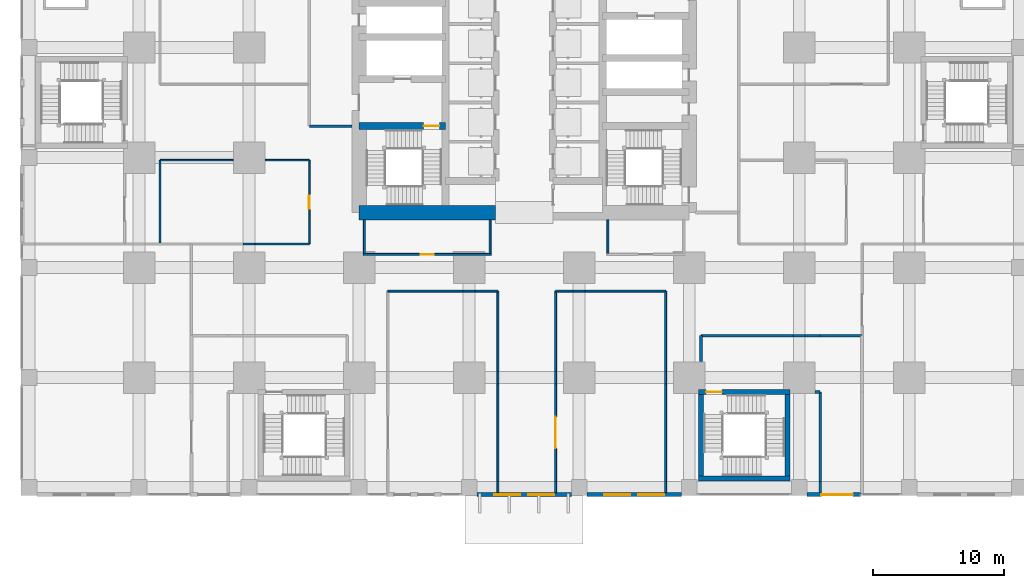
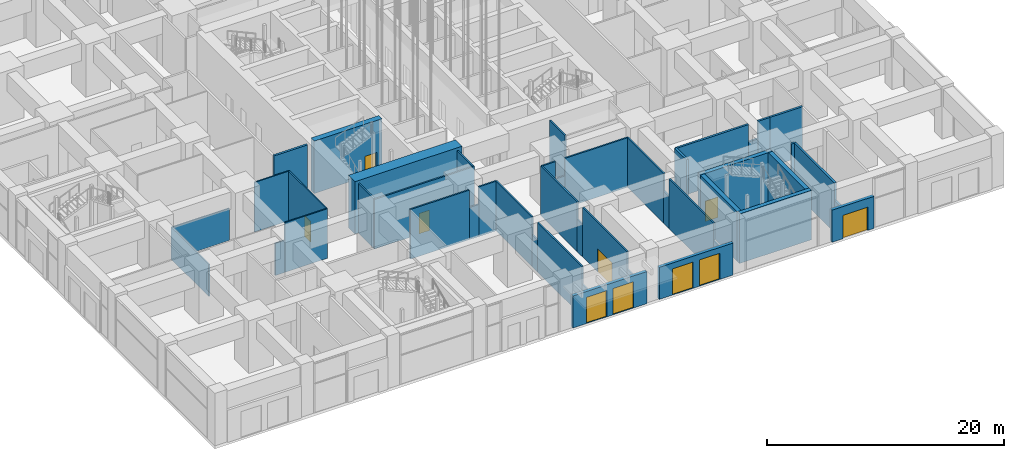
# One storey, part 38 of 81: 46 walls, 10 doors, 10 openings.
"""IFC4 building model written with IfcOpenShell, lengths in metres."""

from ifc_helpers import new_model, si_unit, direction, frame, frame_2d, origin, place, context, subcontext, project, spatial, rectangle, extrude, material, layer, layer_set, type_object, element, fill, save


model = new_model("IFC4")

# Units and contexts
model_context = context("Model", 3, precision=1e-05, world=origin(), true_north=direction((0.0, 1.0)))
body_context = subcontext(model_context, "Body", "Model", "MODEL_VIEW")
ifc_project = project(units=[si_unit("LENGTHUNIT", "METRE"), si_unit("AREAUNIT", "SQUARE_METRE"), si_unit("VOLUMEUNIT", "CUBIC_METRE"), si_unit("PLANEANGLEUNIT", "RADIAN"), si_unit("MASSUNIT", "GRAM", prefix="KILO")], contexts=[model_context])

# Site, building, storey
site_placement = place(None, origin())
site = spatial("IfcSite", under=ifc_project, at=site_placement, CompositionType="ELEMENT")
building_placement = place(site_placement, origin())
building = spatial("IfcBuilding", under=site, at=building_placement, Name="Rekha Terrace Tower", CompositionType="ELEMENT")
storey_placement = place(building_placement, origin())
storey = spatial("IfcBuildingStorey", under=building, at=storey_placement, Name="L00", CompositionType="ELEMENT", Elevation=0.0)

# Wall, opening, door
ifc_material_1 = material(Name="Concrete M70", Category="concrete")
ifc_layer_1 = layer(ifc_material_1, 0.550048828125)
ifc_layer_set_1 = layer_set([ifc_layer_1], Name="Concrete M70")
wall_type_1 = type_object("IfcWallType", Name="CI1 550 core internal shear wall", PredefinedType="SHEAR", material=ifc_layer_set_1)
wall_1_placement = place(storey_placement, frame((25.199951171875, 27.60009765625, 0.0), z_axis=(0.0, 0.0, 1.0), x_axis=(1.0, 0.0, 0.0)))
wall_1 = element("IfcWall", 1, at=wall_1_placement, inside=storey, type_object=wall_type_1, Name="Core wall Y276W L00", PredefinedType="SHEAR", context=body_context, shape_type="SweptSolid", body=[
    extrude(rectangle(XDim=6.60009765625, YDim=0.550048828125, at=frame_2d((3.300048828125, 0.0))), origin(), (0.0, 0.0, 1.0), 5.39990234375),
])
opening_1_placement = place(wall_1_placement, frame((4.925048828125, 0.0, 0.0)))
opening_1 = element("IfcOpeningElement", 2, at=opening_1_placement, cuts=wall_1, Name="Opening D1", PredefinedType="OPENING", context=body_context, shape_type="SweptSolid", body=[
    extrude(rectangle(XDim=1.199951171875, YDim=2.10009765625, at=frame_2d((0.60009765625, 1.050048828125))), frame((0.0, 0.284912109375, 0.0), z_axis=(0.0, -1.0, 0.0), x_axis=(1.0, 0.0, 0.0)), (0.0, 0.0, 1.0), 0.570068359375),
])
ifc_material_2 = material(Name="Steel fire door", Category="steel")
door_type_1 = type_object("IfcDoorType", Name="D1 1200x2100 stair fire door", OperationType="SINGLE_SWING_RIGHT", PredefinedType="DOOR", material=ifc_material_2)
door_1_placement = place(opening_1_placement, origin())
door_1 = element("IfcDoor", 3, at=door_1_placement, inside=storey, type_object=door_type_1, Name="Stair ST1 door L00", OperationType="SINGLE_SWING_RIGHT", OverallHeight=2.10009765625, OverallWidth=1.199951171875, PredefinedType="DOOR", context=body_context, shape_type="SweptSolid", body=[
    extrude(rectangle(XDim=1.199951171875, YDim=2.10009765625, at=frame_2d((0.60009765625, 1.050048828125))), frame((0.0, 0.02490234375, 0.0), z_axis=(0.0, -1.0, 0.0), x_axis=(1.0, 0.0, 0.0)), (0.0, 0.0, 1.0), 0.050048828125),
])
fill(opening_1, door_1)

# Wall, openings, doors
ifc_material_3 = material(Name="Concrete M40", Category="concrete")
ifc_layer_2 = layer(ifc_material_3, 0.300048828125)
ifc_layer_set_2 = layer_set([ifc_layer_2], Name="Concrete M40")
wall_type_2 = type_object("IfcWallType", Name="EW2 glazed entrance screen wall 300", PredefinedType="SOLIDWALL", material=ifc_layer_set_2)
wall_2_placement = place(storey_placement, frame((41.39892578125, -0.5400390625, 0.0), z_axis=(0.0, 0.0, 1.0), x_axis=(-1.0, 0.0, 0.0)))
wall_2 = element("IfcWall", 4, at=wall_2_placement, inside=storey, type_object=wall_type_2, Name="Entrance screen wall", PredefinedType="SOLIDWALL", context=body_context, shape_type="SweptSolid", body=[
    extrude(rectangle(XDim=7.197998046875, YDim=0.300048828125, at=frame_2d((3.59912109375, 0.0))), origin(), (0.0, 0.0, 1.0), 3.300048828125),
])
opening_2_placement = place(wall_2_placement, frame((3.89892578125, 0.0, 0.0)))
opening_2 = element("IfcOpeningElement", 5, at=opening_2_placement, cuts=wall_2, Name="Opening ED1", PredefinedType="OPENING", context=body_context, shape_type="SweptSolid", body=[
    extrude(rectangle(XDim=2.0, YDim=2.699951171875, at=frame_2d((1.0, 1.35009765625))), frame((0.0, 0.159912109375, 0.0), z_axis=(0.0, -1.0, 0.0), x_axis=(1.0, 0.0, 0.0)), (0.0, 0.0, 1.0), 0.320068359375),
])
opening_3_placement = place(wall_2_placement, frame((1.299072265625, 0.0, 0.0)))
opening_3 = element("IfcOpeningElement", 6, at=opening_3_placement, cuts=wall_2, Name="Opening ED1", PredefinedType="OPENING", context=body_context, shape_type="SweptSolid", body=[
    extrude(rectangle(XDim=2.0, YDim=2.699951171875, at=frame_2d((1.0, 1.35009765625))), frame((0.0, 0.159912109375, 0.0), z_axis=(0.0, -1.0, 0.0), x_axis=(1.0, 0.0, 0.0)), (0.0, 0.0, 1.0), 0.320068359375),
])
ifc_material_4 = material(Name="Aluminium framed laminated glass door", Category="aluminium")
door_type_2 = type_object("IfcDoorType", Name="ED1 glazed double entrance door 2000 x 2700", OperationType="DOUBLE_DOOR_SINGLE_SWING", PredefinedType="DOOR", material=ifc_material_4)
door_2_placement = place(opening_2_placement, origin())
door_2 = element("IfcDoor", 7, at=door_2_placement, inside=storey, type_object=door_type_2, Name="Entrance door", OperationType="DOUBLE_DOOR_SINGLE_SWING", OverallHeight=2.699951171875, OverallWidth=2.0, PredefinedType="DOOR", context=body_context, shape_type="SweptSolid", body=[
    extrude(rectangle(XDim=2.0, YDim=2.699951171875, at=frame_2d((1.0, 1.35009765625))), frame((0.0, 0.02490234375, 0.0), z_axis=(0.0, -1.0, 0.0), x_axis=(1.0, 0.0, 0.0)), (0.0, 0.0, 1.0), 0.050048828125),
])
fill(opening_2, door_2)
door_3_placement = place(opening_3_placement, origin())
door_3 = element("IfcDoor", 8, at=door_3_placement, inside=storey, type_object=door_type_2, Name="Entrance door", OperationType="DOUBLE_DOOR_SINGLE_SWING", OverallHeight=2.699951171875, OverallWidth=2.0, PredefinedType="DOOR", context=body_context, shape_type="SweptSolid", body=[
    extrude(rectangle(XDim=2.0, YDim=2.699951171875, at=frame_2d((1.0, 1.35009765625))), frame((0.0, 0.02490234375, 0.0), z_axis=(0.0, -1.0, 0.0), x_axis=(1.0, 0.0, 0.0)), (0.0, 0.0, 1.0), 0.050048828125),
])
fill(opening_3, door_3)

wall_3_placement = place(storey_placement, frame((49.799072265625, -0.5400390625, 0.0), z_axis=(0.0, 0.0, 1.0), x_axis=(-1.0, 0.0, 0.0)))
wall_3 = element("IfcWall", 9, at=wall_3_placement, inside=storey, type_object=wall_type_2, Name="Entrance screen wall", PredefinedType="SOLIDWALL", context=body_context, shape_type="SweptSolid", body=[
    extrude(rectangle(XDim=7.197998046875, YDim=0.300048828125, at=frame_2d((3.59912109375, 0.0))), origin(), (0.0, 0.0, 1.0), 3.300048828125),
])
opening_4_placement = place(wall_3_placement, frame((3.89892578125, 0.0, 0.0)))
opening_4 = element("IfcOpeningElement", 10, at=opening_4_placement, cuts=wall_3, Name="Opening ED1", PredefinedType="OPENING", context=body_context, shape_type="SweptSolid", body=[
    extrude(rectangle(XDim=2.0, YDim=2.699951171875, at=frame_2d((1.0, 1.35009765625))), frame((0.0, 0.159912109375, 0.0), z_axis=(0.0, -1.0, 0.0), x_axis=(1.0, 0.0, 0.0)), (0.0, 0.0, 1.0), 0.320068359375),
])
opening_5_placement = place(wall_3_placement, frame((1.299072265625, 0.0, 0.0)))
opening_5 = element("IfcOpeningElement", 11, at=opening_5_placement, cuts=wall_3, Name="Opening ED1", PredefinedType="OPENING", context=body_context, shape_type="SweptSolid", body=[
    extrude(rectangle(XDim=2.0, YDim=2.699951171875, at=frame_2d((1.0, 1.35009765625))), frame((0.0, 0.159912109375, 0.0), z_axis=(0.0, -1.0, 0.0), x_axis=(1.0, 0.0, 0.0)), (0.0, 0.0, 1.0), 0.320068359375),
])
door_4_placement = place(opening_4_placement, origin())
door_4 = element("IfcDoor", 12, at=door_4_placement, inside=storey, type_object=door_type_2, Name="Entrance door", OperationType="DOUBLE_DOOR_SINGLE_SWING", OverallHeight=2.699951171875, OverallWidth=2.0, PredefinedType="DOOR", context=body_context, shape_type="SweptSolid", body=[
    extrude(rectangle(XDim=2.0, YDim=2.699951171875, at=frame_2d((1.0, 1.35009765625))), frame((0.0, 0.02490234375, 0.0), z_axis=(0.0, -1.0, 0.0), x_axis=(1.0, 0.0, 0.0)), (0.0, 0.0, 1.0), 0.050048828125),
])
fill(opening_4, door_4)
door_5_placement = place(opening_5_placement, origin())
door_5 = element("IfcDoor", 13, at=door_5_placement, inside=storey, type_object=door_type_2, Name="Entrance door", OperationType="DOUBLE_DOOR_SINGLE_SWING", OverallHeight=2.699951171875, OverallWidth=2.0, PredefinedType="DOOR", context=body_context, shape_type="SweptSolid", body=[
    extrude(rectangle(XDim=2.0, YDim=2.699951171875, at=frame_2d((1.0, 1.35009765625))), frame((0.0, 0.02490234375, 0.0), z_axis=(0.0, -1.0, 0.0), x_axis=(1.0, 0.0, 0.0)), (0.0, 0.0, 1.0), 0.050048828125),
])
fill(opening_5, door_5)

# Wall, opening, door
wall_4_placement = place(storey_placement, frame((63.5, -0.5400390625, 0.0), z_axis=(0.0, 0.0, 1.0), x_axis=(-1.0, 0.0, 0.0)))
wall_4 = element("IfcWall", 14, at=wall_4_placement, inside=storey, type_object=wall_type_2, Name="Entrance screen wall", PredefinedType="SOLIDWALL", context=body_context, shape_type="SweptSolid", body=[
    extrude(rectangle(XDim=4.09912109375, YDim=0.300048828125, at=frame_2d((2.049560546875, 0.0))), origin(), (0.0, 0.0, 1.0), 3.300048828125),
])
opening_6_placement = place(wall_4_placement, frame((0.60009765625, 0.0, 0.0)))
opening_6 = element("IfcOpeningElement", 15, at=opening_6_placement, cuts=wall_4, Name="Opening ED2", PredefinedType="OPENING", context=body_context, shape_type="SweptSolid", body=[
    extrude(rectangle(XDim=2.39990234375, YDim=2.39990234375, at=frame_2d((1.199951171875, 1.199951171875))), frame((0.0, 0.159912109375, 0.0), z_axis=(0.0, -1.0, 0.0), x_axis=(1.0, 0.0, 0.0)), (0.0, 0.0, 1.0), 0.320068359375),
])
ifc_material_5 = material(Name="Galvanised steel door", Category="steel")
door_type_3 = type_object("IfcDoorType", Name="ED2 steel double exit door 2400 x 2400", OperationType="DOUBLE_DOOR_SINGLE_SWING", PredefinedType="DOOR", material=ifc_material_5)
door_6_placement = place(opening_6_placement, origin())
door_6 = element("IfcDoor", 16, at=door_6_placement, inside=storey, type_object=door_type_3, Name="Exit discharge door", OperationType="DOUBLE_DOOR_SINGLE_SWING", OverallHeight=2.39990234375, OverallWidth=2.39990234375, PredefinedType="DOOR", context=body_context, shape_type="SweptSolid", body=[
    extrude(rectangle(XDim=2.39990234375, YDim=2.39990234375, at=frame_2d((1.199951171875, 1.199951171875))), frame((0.0, 0.02490234375, 0.0), z_axis=(0.0, -1.0, 0.0), x_axis=(1.0, 0.0, 0.0)), (0.0, 0.0, 1.0), 0.050048828125),
])
fill(opening_6, door_6)

# Wall
ifc_layer_3 = layer(ifc_material_1, 1.10009765625)
ifc_layer_set_3 = layer_set([ifc_layer_3], Name="Concrete M70")
wall_type_3 = type_object("IfcWallType", Name="SW1 1100 core outer shear wall", PredefinedType="SHEAR", material=ifc_layer_set_3)
wall_5_placement = place(storey_placement, frame((25.199951171875, 21.0, 0.0), z_axis=(0.0, 0.0, 1.0), x_axis=(1.0, 0.0, 0.0)))
element("IfcWall", 17, at=wall_5_placement, inside=storey, type_object=wall_type_3, Name="Core wall S1 L00", PredefinedType="SHEAR", context=body_context, shape_type="SweptSolid", body=[
    extrude(rectangle(XDim=10.400146484375, YDim=1.10009765625, at=frame_2d((5.2001953125, 0.0))), origin(), (0.0, 0.0, 1.0), 5.39990234375),
])

# Wall, opening, door
ifc_material_6 = material(Name="Concrete block masonry, 1 hour", Category="masonry")
ifc_layer_4 = layer(ifc_material_6, 0.14990234375)
ifc_layer_set_4 = layer_set([ifc_layer_4], Name="Concrete block masonry, 1 hour")
wall_type_4 = type_object("IfcWallType", Name="WP2 150 tenancy partition", PredefinedType="PARTITIONING", material=ifc_layer_set_4)
wall_6_placement = place(storey_placement, frame((25.52490234375, 17.800048828125, 0.0), z_axis=(0.0, 0.0, 1.0), x_axis=(1.0, 0.0, 0.0)))
wall_6 = element("IfcWall", 18, at=wall_6_placement, inside=storey, type_object=wall_type_4, Name="Men's WC wall L00", PredefinedType="PARTITIONING", context=body_context, shape_type="SweptSolid", body=[
    extrude(rectangle(XDim=9.75, YDim=0.14990234375, at=frame_2d((4.875, 0.0))), origin(), (0.0, 0.0, 1.0), 5.10009765625),
])
opening_7_placement = place(wall_6_placement, frame((4.375, 0.0, 0.0)))
opening_7 = element("IfcOpeningElement", 19, at=opening_7_placement, cuts=wall_6, Name="Opening D3", PredefinedType="OPENING", context=body_context, shape_type="SweptSolid", body=[
    extrude(rectangle(XDim=1.0, YDim=2.10009765625, at=frame_2d((0.5, 1.050048828125))), frame((0.0, 0.0849609375, 0.0), z_axis=(0.0, -1.0, 0.0), x_axis=(1.0, 0.0, 0.0)), (0.0, 0.0, 1.0), 0.169921875),
])
ifc_material_7 = material(Name="Laminated timber fire door", Category="wood")
door_type_4 = type_object("IfcDoorType", Name="D3 1000x2100 WC door", OperationType="SINGLE_SWING_LEFT", PredefinedType="DOOR", material=ifc_material_7)
door_7_placement = place(opening_7_placement, origin())
door_7 = element("IfcDoor", 20, at=door_7_placement, inside=storey, type_object=door_type_4, Name="Door men's wc L00", OperationType="SINGLE_SWING_LEFT", OverallHeight=2.10009765625, OverallWidth=1.0, PredefinedType="DOOR", context=body_context, shape_type="SweptSolid", body=[
    extrude(rectangle(XDim=1.0, YDim=2.10009765625, at=frame_2d((0.5, 1.050048828125))), frame((0.0, 0.02490234375, 0.0), z_axis=(0.0, -1.0, 0.0), x_axis=(1.0, 0.0, 0.0)), (0.0, 0.0, 1.0), 0.050048828125),
])
fill(opening_7, door_7)

# Walls
for number, where, z_axis, x_axis, name in (
    (21, (25.60009765625, 17.875, 0.0), (0.0, 0.0, 1.0), (0.0, 1.0, 0.0), "Men's WC wall L00"),
    (22, (35.199951171875, 17.875, 0.0), (0.0, 0.0, 1.0), (0.0, 1.0, 0.0), "Men's WC wall L00"),
    (23, (44.199951171875, 17.875, 0.0), (0.0, 0.0, 1.0), (0.0, 1.0, 0.0), "Men's WC wall L00"),
):
    element("IfcWall", number, at=place(storey_placement, frame(where, z_axis=z_axis, x_axis=x_axis)), inside=storey, type_object=wall_type_4, Name=name, PredefinedType="PARTITIONING", context=body_context, shape_type="SweptSolid", body=[
        extrude(rectangle(XDim=2.574951171875, YDim=0.14990234375, at=frame_2d((1.28759765625, 0.0))), origin(), (0.0, 0.0, 1.0), 5.10009765625),
    ])
wall_7_placement = place(storey_placement, frame((27.39990234375, 15.0, 0.0), z_axis=(0.0, 0.0, 1.0), x_axis=(1.0, 0.0, 0.0)))
element("IfcWall", 24, at=wall_7_placement, inside=storey, type_object=wall_type_4, Name="Partition L00-12", PredefinedType="PARTITIONING", context=body_context, shape_type="SweptSolid", body=[
    extrude(rectangle(XDim=5.739990234375, YDim=0.14990234375, at=frame_2d((2.8701171875, 0.0))), origin(), (0.0, 0.0, 1.0), 5.10009765625),
])
wall_8_placement = place(storey_placement, frame((33.139892578125, 15.0, 0.0), z_axis=(0.0, 0.0, 1.0), x_axis=(1.0, 0.0, 0.0)))
element("IfcWall", 25, at=wall_8_placement, inside=storey, type_object=wall_type_4, Name="Partition L00-12", PredefinedType="PARTITIONING", context=body_context, shape_type="SweptSolid", body=[
    extrude(rectangle(XDim=0.920166015625, YDim=0.14990234375, at=frame_2d((0.4599609375, 0.0))), origin(), (0.0, 0.0, 1.0), 3.300048828125),
])
wall_9_placement = place(storey_placement, frame((34.06005859375, 15.0, 0.0), z_axis=(0.0, 0.0, 1.0), x_axis=(1.0, 0.0, 0.0)))
element("IfcWall", 26, at=wall_9_placement, inside=storey, type_object=wall_type_4, Name="Partition L00-12", PredefinedType="PARTITIONING", context=body_context, shape_type="SweptSolid", body=[
    extrude(rectangle(XDim=1.739990234375, YDim=0.14990234375, at=frame_2d((0.8701171875, 0.0))), origin(), (0.0, 0.0, 1.0), 5.10009765625),
])
wall_10_placement = place(storey_placement, frame((35.800048828125, 15.0, 0.0), z_axis=(0.0, 0.0, 1.0), x_axis=(0.0, -1.0, 0.0)))
element("IfcWall", 27, at=wall_10_placement, inside=storey, type_object=wall_type_4, Name="Partition L00-12", PredefinedType="PARTITIONING", context=body_context, shape_type="SweptSolid", body=[
    extrude(rectangle(XDim=6.139892578125, YDim=0.14990234375, at=frame_2d((3.06982421875, 0.0))), origin(), (0.0, 0.0, 1.0), 5.10009765625),
])
wall_11_placement = place(storey_placement, frame((35.800048828125, 8.860107421875, 0.0), z_axis=(0.0, 0.0, 1.0), x_axis=(0.0, -1.0, 0.0)))
element("IfcWall", 28, at=wall_11_placement, inside=storey, type_object=wall_type_4, Name="Partition L00-12", PredefinedType="PARTITIONING", context=body_context, shape_type="SweptSolid", body=[
    extrude(rectangle(XDim=0.920166015625, YDim=0.14990234375, at=frame_2d((0.4599609375, 0.0))), origin(), (0.0, 0.0, 1.0), 3.300048828125),
])
wall_12_placement = place(storey_placement, frame((35.800048828125, 7.93994140625, 0.0), z_axis=(0.0, 0.0, 1.0), x_axis=(0.0, -1.0, 0.0)))
element("IfcWall", 29, at=wall_12_placement, inside=storey, type_object=wall_type_4, Name="Partition L00-12", PredefinedType="PARTITIONING", context=body_context, shape_type="SweptSolid", body=[
    extrude(rectangle(XDim=7.47998046875, YDim=0.14990234375, at=frame_2d((3.739990234375, 0.0))), origin(), (0.0, 0.0, 1.0), 5.10009765625),
])
wall_13_placement = place(storey_placement, frame((35.800048828125, 0.4599609375, 0.0), z_axis=(0.0, 0.0, 1.0), x_axis=(0.0, -1.0, 0.0)))
element("IfcWall", 30, at=wall_13_placement, inside=storey, type_object=wall_type_4, Name="Partition L00-12", PredefinedType="PARTITIONING", context=body_context, shape_type="SweptSolid", body=[
    extrude(rectangle(XDim=0.849853515625, YDim=0.14990234375, at=frame_2d((0.4248046875, 0.0))), origin(), (0.0, 0.0, 1.0), 3.300048828125),
])
wall_14_placement = place(storey_placement, frame((40.199951171875, 15.0, 0.0), z_axis=(0.0, 0.0, 1.0), x_axis=(1.0, 0.0, 0.0)))
element("IfcWall", 31, at=wall_14_placement, inside=storey, type_object=wall_type_4, Name="Partition L00-13", PredefinedType="PARTITIONING", context=body_context, shape_type="SweptSolid", body=[
    extrude(rectangle(XDim=1.340087890625, YDim=0.14990234375, at=frame_2d((0.669921875, 0.0))), origin(), (0.0, 0.0, 1.0), 5.10009765625),
])
wall_15_placement = place(storey_placement, frame((41.5400390625, 15.0, 0.0), z_axis=(0.0, 0.0, 1.0), x_axis=(1.0, 0.0, 0.0)))
element("IfcWall", 32, at=wall_15_placement, inside=storey, type_object=wall_type_4, Name="Partition L00-13", PredefinedType="PARTITIONING", context=body_context, shape_type="SweptSolid", body=[
    extrude(rectangle(XDim=0.919921875, YDim=0.14990234375, at=frame_2d((0.4599609375, 0.0))), origin(), (0.0, 0.0, 1.0), 3.300048828125),
])
wall_16_placement = place(storey_placement, frame((42.4599609375, 15.0, 0.0), z_axis=(0.0, 0.0, 1.0), x_axis=(1.0, 0.0, 0.0)))
element("IfcWall", 33, at=wall_16_placement, inside=storey, type_object=wall_type_4, Name="Partition L00-13", PredefinedType="PARTITIONING", context=body_context, shape_type="SweptSolid", body=[
    extrude(rectangle(XDim=6.14013671875, YDim=0.14990234375, at=frame_2d((3.070068359375, 0.0))), origin(), (0.0, 0.0, 1.0), 5.10009765625),
])
wall_17_placement = place(storey_placement, frame((48.60009765625, 15.0, 0.0), z_axis=(0.0, 0.0, 1.0), x_axis=(0.0, -1.0, 0.0)))
element("IfcWall", 34, at=wall_17_placement, inside=storey, type_object=wall_type_4, Name="Partition L00-13", PredefinedType="PARTITIONING", context=body_context, shape_type="SweptSolid", body=[
    extrude(rectangle(XDim=6.139892578125, YDim=0.14990234375, at=frame_2d((3.06982421875, 0.0))), origin(), (0.0, 0.0, 1.0), 5.10009765625),
])
wall_18_placement = place(storey_placement, frame((48.60009765625, 8.860107421875, 0.0), z_axis=(0.0, 0.0, 1.0), x_axis=(0.0, -1.0, 0.0)))
element("IfcWall", 35, at=wall_18_placement, inside=storey, type_object=wall_type_4, Name="Partition L00-13", PredefinedType="PARTITIONING", context=body_context, shape_type="SweptSolid", body=[
    extrude(rectangle(XDim=0.920166015625, YDim=0.14990234375, at=frame_2d((0.4599609375, 0.0))), origin(), (0.0, 0.0, 1.0), 3.300048828125),
])
wall_19_placement = place(storey_placement, frame((48.60009765625, 7.93994140625, 0.0), z_axis=(0.0, 0.0, 1.0), x_axis=(0.0, -1.0, 0.0)))
element("IfcWall", 36, at=wall_19_placement, inside=storey, type_object=wall_type_4, Name="Partition L00-13", PredefinedType="PARTITIONING", context=body_context, shape_type="SweptSolid", body=[
    extrude(rectangle(XDim=7.47998046875, YDim=0.14990234375, at=frame_2d((3.739990234375, 0.0))), origin(), (0.0, 0.0, 1.0), 5.10009765625),
])
for number, where, z_axis, x_axis, name in (
    (37, (48.60009765625, 0.4599609375, 0.0), (0.0, 0.0, 1.0), (0.0, -1.0, 0.0), "Partition L00-13"),
    (38, (40.199951171875, -0.389892578125, 0.0), (0.0, 0.0, 1.0), (0.0, 1.0, 0.0), "Partition L00-13"),
):
    element("IfcWall", number, at=place(storey_placement, frame(where, z_axis=z_axis, x_axis=x_axis)), inside=storey, type_object=wall_type_4, Name=name, PredefinedType="PARTITIONING", context=body_context, shape_type="SweptSolid", body=[
        extrude(rectangle(XDim=0.849853515625, YDim=0.14990234375, at=frame_2d((0.4248046875, 0.0))), origin(), (0.0, 0.0, 1.0), 3.300048828125),
    ])

# Wall, opening, door
wall_20_placement = place(storey_placement, frame((40.199951171875, 0.4599609375, 0.0), z_axis=(0.0, 0.0, 1.0), x_axis=(0.0, 1.0, 0.0)))
wall_20 = element("IfcWall", 39, at=wall_20_placement, inside=storey, type_object=wall_type_4, Name="Partition L00-13", PredefinedType="PARTITIONING", context=body_context, shape_type="SweptSolid", body=[
    extrude(rectangle(XDim=7.47998046875, YDim=0.14990234375, at=frame_2d((3.739990234375, 0.0))), origin(), (0.0, 0.0, 1.0), 5.10009765625),
])
opening_8_placement = place(wall_20_placement, frame((2.5400390625, 0.0, 0.0)))
opening_8 = element("IfcOpeningElement", 40, at=opening_8_placement, cuts=wall_20, Name="Opening D7", PredefinedType="OPENING", context=body_context, shape_type="SweptSolid", body=[
    extrude(rectangle(XDim=2.39990234375, YDim=2.39990234375, at=frame_2d((1.199951171875, 1.199951171875))), frame((0.0, 0.0849609375, 0.0), z_axis=(0.0, -1.0, 0.0), x_axis=(1.0, 0.0, 0.0)), (0.0, 0.0, 1.0), 0.169921875),
])
ifc_material_8 = material(Name="Glazed aluminium door", Category="aluminium")
door_type_5 = type_object("IfcDoorType", Name="D7 2400x2400 shopfront double door", OperationType="DOUBLE_DOOR_SINGLE_SWING", PredefinedType="DOOR", material=ifc_material_8)
door_8_placement = place(opening_8_placement, origin())
door_8 = element("IfcDoor", 41, at=door_8_placement, inside=storey, type_object=door_type_5, Name="Door retail unit 19 L00", OperationType="DOUBLE_DOOR_SINGLE_SWING", OverallHeight=2.39990234375, OverallWidth=2.39990234375, PredefinedType="DOOR", context=body_context, shape_type="SweptSolid", body=[
    extrude(rectangle(XDim=2.39990234375, YDim=2.39990234375, at=frame_2d((1.199951171875, 1.199951171875))), frame((0.0, 0.02490234375, 0.0), z_axis=(0.0, -1.0, 0.0), x_axis=(1.0, 0.0, 0.0)), (0.0, 0.0, 1.0), 0.050048828125),
])
fill(opening_8, door_8)

# Walls
wall_21_placement = place(storey_placement, frame((40.199951171875, 7.93994140625, 0.0), z_axis=(0.0, 0.0, 1.0), x_axis=(0.0, 1.0, 0.0)))
element("IfcWall", 42, at=wall_21_placement, inside=storey, type_object=wall_type_4, Name="Partition L00-13", PredefinedType="PARTITIONING", context=body_context, shape_type="SweptSolid", body=[
    extrude(rectangle(XDim=0.920166015625, YDim=0.14990234375, at=frame_2d((0.4599609375, 0.0))), origin(), (0.0, 0.0, 1.0), 3.300048828125),
])
wall_22_placement = place(storey_placement, frame((40.199951171875, 8.860107421875, 0.0), z_axis=(0.0, 0.0, 1.0), x_axis=(0.0, 1.0, 0.0)))
element("IfcWall", 43, at=wall_22_placement, inside=storey, type_object=wall_type_4, Name="Partition L00-13", PredefinedType="PARTITIONING", context=body_context, shape_type="SweptSolid", body=[
    extrude(rectangle(XDim=6.139892578125, YDim=0.14990234375, at=frame_2d((3.06982421875, 0.0))), origin(), (0.0, 0.0, 1.0), 5.10009765625),
])
ifc_material_9 = material(Name="Two layers of fire-rated gypsum board each side on steel studs, acoustic quilt, 1 hour", Category="steel")
ifc_layer_5 = layer(ifc_material_9, 0.125)
ifc_layer_set_5 = layer_set([ifc_layer_5], Name="Two layers of fire-rated gypsum board each side on steel studs, acoustic quilt, 1 hour")
wall_type_5 = type_object("IfcWallType", Name="WP3 125 office partition", PredefinedType="PARTITIONING", material=ifc_layer_set_5)
wall_23_placement = place(storey_placement, frame((10.0, 25.0, 0.0), z_axis=(0.0, 0.0, 1.0), x_axis=(1.0, 0.0, 0.0)))
element("IfcWall", 44, at=wall_23_placement, inside=storey, type_object=wall_type_5, Name="Partition L00-08", PredefinedType="PARTITIONING", context=body_context, shape_type="SweptSolid", body=[
    extrude(rectangle(XDim=5.580078125, YDim=0.125, at=frame_2d((2.7900390625, 0.0))), origin(), (0.0, 0.0, 1.0), 3.300048828125),
])
wall_24_placement = place(storey_placement, frame((18.02001953125, 25.0, 0.0), z_axis=(0.0, 0.0, 1.0), x_axis=(1.0, 0.0, 0.0)))
element("IfcWall", 45, at=wall_24_placement, inside=storey, type_object=wall_type_5, Name="Partition L00-08", PredefinedType="PARTITIONING", context=body_context, shape_type="SweptSolid", body=[
    extrude(rectangle(XDim=3.3798828125, YDim=0.125, at=frame_2d((1.68994140625, 0.0))), origin(), (0.0, 0.0, 1.0), 5.10009765625),
])

# Wall, opening, door
wall_25_placement = place(storey_placement, frame((21.39990234375, 25.0, 0.0), z_axis=(0.0, 0.0, 1.0), x_axis=(0.0, -1.0, 0.0)))
wall_25 = element("IfcWall", 46, at=wall_25_placement, inside=storey, type_object=wall_type_5, Name="Partition L00-08", PredefinedType="PARTITIONING", context=body_context, shape_type="SweptSolid", body=[
    extrude(rectangle(XDim=6.39990234375, YDim=0.125, at=frame_2d((3.199951171875, 0.0))), origin(), (0.0, 0.0, 1.0), 5.10009765625),
])
opening_9_placement = place(wall_25_placement, frame((2.699951171875, 0.0, 0.0)))
opening_9 = element("IfcOpeningElement", 47, at=opening_9_placement, cuts=wall_25, Name="Opening D9", PredefinedType="OPENING", context=body_context, shape_type="SweptSolid", body=[
    extrude(rectangle(XDim=1.0, YDim=2.10009765625, at=frame_2d((0.5, 1.050048828125))), frame((0.0, 0.072509765625, 0.0), z_axis=(0.0, -1.0, 0.0), x_axis=(1.0, 0.0, 0.0)), (0.0, 0.0, 1.0), 0.14501953125),
])
ifc_material_10 = material(Name="Timber fire door", Category="wood")
door_type_6 = type_object("IfcDoorType", Name="D9 1000x2100 office door", OperationType="SINGLE_SWING_LEFT", PredefinedType="DOOR", material=ifc_material_10)
door_9_placement = place(opening_9_placement, origin())
door_9 = element("IfcDoor", 48, at=door_9_placement, inside=storey, type_object=door_type_6, Name="Door metro ticket office L00", OperationType="SINGLE_SWING_LEFT", OverallHeight=2.10009765625, OverallWidth=1.0, PredefinedType="DOOR", context=body_context, shape_type="SweptSolid", body=[
    extrude(rectangle(XDim=1.0, YDim=2.10009765625, at=frame_2d((0.5, 1.050048828125))), frame((0.0, 0.02490234375, 0.0), z_axis=(0.0, -1.0, 0.0), x_axis=(1.0, 0.0, 0.0)), (0.0, 0.0, 1.0), 0.050048828125),
])
fill(opening_9, door_9)

# Walls
wall_26_placement = place(storey_placement, frame((21.39990234375, 18.60009765625, 0.0), z_axis=(0.0, 0.0, 1.0), x_axis=(-1.0, 0.0, 0.0)))
element("IfcWall", 49, at=wall_26_placement, inside=storey, type_object=wall_type_5, Name="Partition L00-08", PredefinedType="PARTITIONING", context=body_context, shape_type="SweptSolid", body=[
    extrude(rectangle(XDim=4.139892578125, YDim=0.125, at=frame_2d((2.06982421875, 0.0))), origin(), (0.0, 0.0, 1.0), 5.10009765625),
])
wall_27_placement = place(storey_placement, frame((17.260009765625, 18.60009765625, 0.0), z_axis=(0.0, 0.0, 1.0), x_axis=(-1.0, 0.0, 0.0)))
element("IfcWall", 50, at=wall_27_placement, inside=storey, type_object=wall_type_5, Name="Partition L00-08", PredefinedType="PARTITIONING", context=body_context, shape_type="SweptSolid", body=[
    extrude(rectangle(XDim=0.919921875, YDim=0.125, at=frame_2d((0.4599609375, 0.0))), origin(), (0.0, 0.0, 1.0), 3.300048828125),
])
wall_28_placement = place(storey_placement, frame((10.0, 18.675048828125, 0.0), z_axis=(0.0, 0.0, 1.0), x_axis=(0.0, 1.0, 0.0)))
element("IfcWall", 51, at=wall_28_placement, inside=storey, type_object=wall_type_5, Name="Partition L00-08", PredefinedType="PARTITIONING", context=body_context, shape_type="SweptSolid", body=[
    extrude(rectangle(XDim=6.324951171875, YDim=0.125, at=frame_2d((3.16259765625, 0.0))), origin(), (0.0, 0.0, 1.0), 3.300048828125),
])
ifc_material_11 = material(Name="Solid concrete block masonry, 2 hour", Category="masonry")
ifc_layer_6 = layer(ifc_material_11, 0.199951171875)
ifc_layer_set_6 = layer_set([ifc_layer_6], Name="Solid concrete block masonry, 2 hour")
wall_type_6 = type_object("IfcWallType", Name="WS1 200 stair and shaft enclosure", PredefinedType="PARTITIONING", material=ifc_layer_set_6)
wall_29_placement = place(storey_placement, frame((24.64990234375, 27.60009765625, 0.0), z_axis=(0.0, 0.0, 1.0), x_axis=(-1.0, 0.0, 0.0)))
element("IfcWall", 52, at=wall_29_placement, inside=storey, type_object=wall_type_6, Name="Partition L00-EP1", PredefinedType="PARTITIONING", context=body_context, shape_type="SweptSolid", body=[
    extrude(rectangle(XDim=3.25, YDim=0.199951171875, at=frame_2d((1.625, 0.0))), origin(), (0.0, 0.0, 1.0), 5.10009765625),
])
wall_30_placement = place(storey_placement, frame((60.39990234375, 7.300048828125, 0.0), z_axis=(0.0, 0.0, 1.0), x_axis=(-1.0, 0.0, 0.0)))
element("IfcWall", 53, at=wall_30_placement, inside=storey, type_object=wall_type_6, Name="Partition L00-EP4", PredefinedType="PARTITIONING", context=body_context, shape_type="SweptSolid", body=[
    extrude(rectangle(XDim=0.3798828125, YDim=0.199951171875, at=frame_2d((0.18994140625, 0.0))), origin(), (0.0, 0.0, 1.0), 5.10009765625),
])
wall_31_placement = place(storey_placement, frame((51.300048828125, 9.6201171875, 0.0), z_axis=(0.0, 0.0, 1.0), x_axis=(0.0, 1.0, 0.0)))
element("IfcWall", 54, at=wall_31_placement, inside=storey, type_object=wall_type_6, Name="Partition L00-EP4", PredefinedType="PARTITIONING", context=body_context, shape_type="SweptSolid", body=[
    extrude(rectangle(XDim=1.97998046875, YDim=0.199951171875, at=frame_2d((0.989990234375, 0.0))), origin(), (0.0, 0.0, 1.0), 5.10009765625),
])
wall_32_placement = place(storey_placement, frame((51.300048828125, 11.60009765625, 0.0), z_axis=(0.0, 0.0, 1.0), x_axis=(1.0, 0.0, 0.0)))
element("IfcWall", 55, at=wall_32_placement, inside=storey, type_object=wall_type_6, Name="Partition L00-EP4", PredefinedType="PARTITIONING", context=body_context, shape_type="SweptSolid", body=[
    extrude(rectangle(XDim=7.0400390625, YDim=0.199951171875, at=frame_2d((3.52001953125, 0.0))), origin(), (0.0, 0.0, 1.0), 5.10009765625),
])
wall_33_placement = place(storey_placement, frame((58.340087890625, 11.60009765625, 0.0), z_axis=(0.0, 0.0, 1.0), x_axis=(1.0, 0.0, 0.0)))
element("IfcWall", 56, at=wall_33_placement, inside=storey, type_object=wall_type_6, Name="Partition L00-EP4", PredefinedType="PARTITIONING", context=body_context, shape_type="SweptSolid", body=[
    extrude(rectangle(XDim=0.919921875, YDim=0.199951171875, at=frame_2d((0.4599609375, 0.0))), origin(), (0.0, 0.0, 1.0), 3.300048828125),
])
wall_34_placement = place(storey_placement, frame((59.260009765625, 11.60009765625, 0.0), z_axis=(0.0, 0.0, 1.0), x_axis=(1.0, 0.0, 0.0)))
element("IfcWall", 57, at=wall_34_placement, inside=storey, type_object=wall_type_6, Name="Partition L00-EP4", PredefinedType="PARTITIONING", context=body_context, shape_type="SweptSolid", body=[
    extrude(rectangle(XDim=1.139892578125, YDim=0.199951171875, at=frame_2d((0.56982421875, 0.0))), origin(), (0.0, 0.0, 1.0), 5.10009765625),
])
wall_35_placement = place(storey_placement, frame((60.39990234375, 11.60009765625, 0.0), z_axis=(0.0, 0.0, 1.0), x_axis=(1.0, 0.0, 0.0)))
element("IfcWall", 58, at=wall_35_placement, inside=storey, type_object=wall_type_6, Name="Partition L00-EP4", PredefinedType="PARTITIONING", context=body_context, shape_type="SweptSolid", body=[
    extrude(rectangle(XDim=3.2001953125, YDim=0.199951171875, at=frame_2d((1.60009765625, 0.0))), origin(), (0.0, 0.0, 1.0), 5.10009765625),
])
wall_36_placement = place(storey_placement, frame((60.39990234375, -0.389892578125, 0.0), z_axis=(0.0, 0.0, 1.0), x_axis=(0.0, 1.0, 0.0)))
element("IfcWall", 59, at=wall_36_placement, inside=storey, type_object=wall_type_6, Name="Partition L00-EP4", PredefinedType="PARTITIONING", context=body_context, shape_type="SweptSolid", body=[
    extrude(rectangle(XDim=0.849853515625, YDim=0.199951171875, at=frame_2d((0.4248046875, 0.0))), origin(), (0.0, 0.0, 1.0), 3.300048828125),
])
wall_37_placement = place(storey_placement, frame((60.39990234375, 0.4599609375, 0.0), z_axis=(0.0, 0.0, 1.0), x_axis=(0.0, 1.0, 0.0)))
element("IfcWall", 60, at=wall_37_placement, inside=storey, type_object=wall_type_6, Name="Partition L00-EP4", PredefinedType="PARTITIONING", context=body_context, shape_type="SweptSolid", body=[
    extrude(rectangle(XDim=6.840087890625, YDim=0.199951171875, at=frame_2d((3.419921875, 0.0))), origin(), (0.0, 0.0, 1.0), 5.10009765625),
])
ifc_material_12 = material(Name="Concrete M60", Category="concrete")
ifc_layer_7 = layer(ifc_material_12, 0.39990234375)
ifc_layer_set_7 = layer_set([ifc_layer_7], Name="Concrete M60")
wall_type_7 = type_object("IfcWallType", Name="WS3 400 RC podium stair wall", PredefinedType="SOLIDWALL", material=ifc_layer_set_7)
wall_38_placement = place(storey_placement, frame((51.10009765625, 0.699951171875, 0.0), z_axis=(0.0, 0.0, 1.0), x_axis=(1.0, 0.0, 0.0)))
element("IfcWall", 61, at=wall_38_placement, inside=storey, type_object=wall_type_7, Name="Stair SP4 south wall", PredefinedType="SOLIDWALL", context=body_context, shape_type="SweptSolid", body=[
    extrude(rectangle(XDim=7.0, YDim=0.39990234375, at=frame_2d((3.5, 0.0))), origin(), (0.0, 0.0, 1.0), 5.10009765625),
])

# Wall, opening, door
wall_39_placement = place(storey_placement, frame((51.10009765625, 7.300048828125, 0.0), z_axis=(0.0, 0.0, 1.0), x_axis=(1.0, 0.0, 0.0)))
wall_39 = element("IfcWall", 62, at=wall_39_placement, inside=storey, type_object=wall_type_7, Name="Stair SP4 north wall", PredefinedType="SOLIDWALL", context=body_context, shape_type="SweptSolid", body=[
    extrude(rectangle(XDim=7.0, YDim=0.39990234375, at=frame_2d((3.5, 0.0))), origin(), (0.0, 0.0, 1.0), 5.10009765625),
])
opening_10_placement = place(wall_39_placement, frame((0.60009765625, 0.0, 0.0)))
opening_10 = element("IfcOpeningElement", 63, at=opening_10_placement, cuts=wall_39, Name="Opening D1", PredefinedType="OPENING", context=body_context, shape_type="SweptSolid", body=[
    extrude(rectangle(XDim=1.199951171875, YDim=2.10009765625, at=frame_2d((0.60009765625, 1.050048828125))), frame((0.0, 0.2099609375, 0.0), z_axis=(0.0, -1.0, 0.0), x_axis=(1.0, 0.0, 0.0)), (0.0, 0.0, 1.0), 0.419921875),
])
door_10_placement = place(opening_10_placement, origin())
door_10 = element("IfcDoor", 64, at=door_10_placement, inside=storey, type_object=door_type_1, Name="Stair SP4 door L00", OperationType="SINGLE_SWING_RIGHT", OverallHeight=2.10009765625, OverallWidth=1.199951171875, PredefinedType="DOOR", context=body_context, shape_type="SweptSolid", body=[
    extrude(rectangle(XDim=1.199951171875, YDim=2.10009765625, at=frame_2d((0.60009765625, 1.050048828125))), frame((0.0, 0.02490234375, 0.0), z_axis=(0.0, -1.0, 0.0), x_axis=(1.0, 0.0, 0.0)), (0.0, 0.0, 1.0), 0.050048828125),
])
fill(opening_10, door_10)

# Walls
for number, where, z_axis, x_axis, name in (
    (65, (51.300048828125, 0.89990234375, 0.0), (0.0, 0.0, 1.0), (0.0, 1.0, 0.0), "Stair SP4 west wall"),
    (66, (57.89990234375, 0.89990234375, 0.0), (0.0, 0.0, 1.0), (0.0, 1.0, 0.0), "Stair SP4 east wall"),
):
    element("IfcWall", number, at=place(storey_placement, frame(where, z_axis=z_axis, x_axis=x_axis)), inside=storey, type_object=wall_type_7, Name=name, PredefinedType="SOLIDWALL", context=body_context, shape_type="SweptSolid", body=[
        extrude(rectangle(XDim=6.2001953125, YDim=0.39990234375, at=frame_2d((3.10009765625, 0.0))), origin(), (0.0, 0.0, 1.0), 5.10009765625),
    ])

save(model, "model.ifc")
